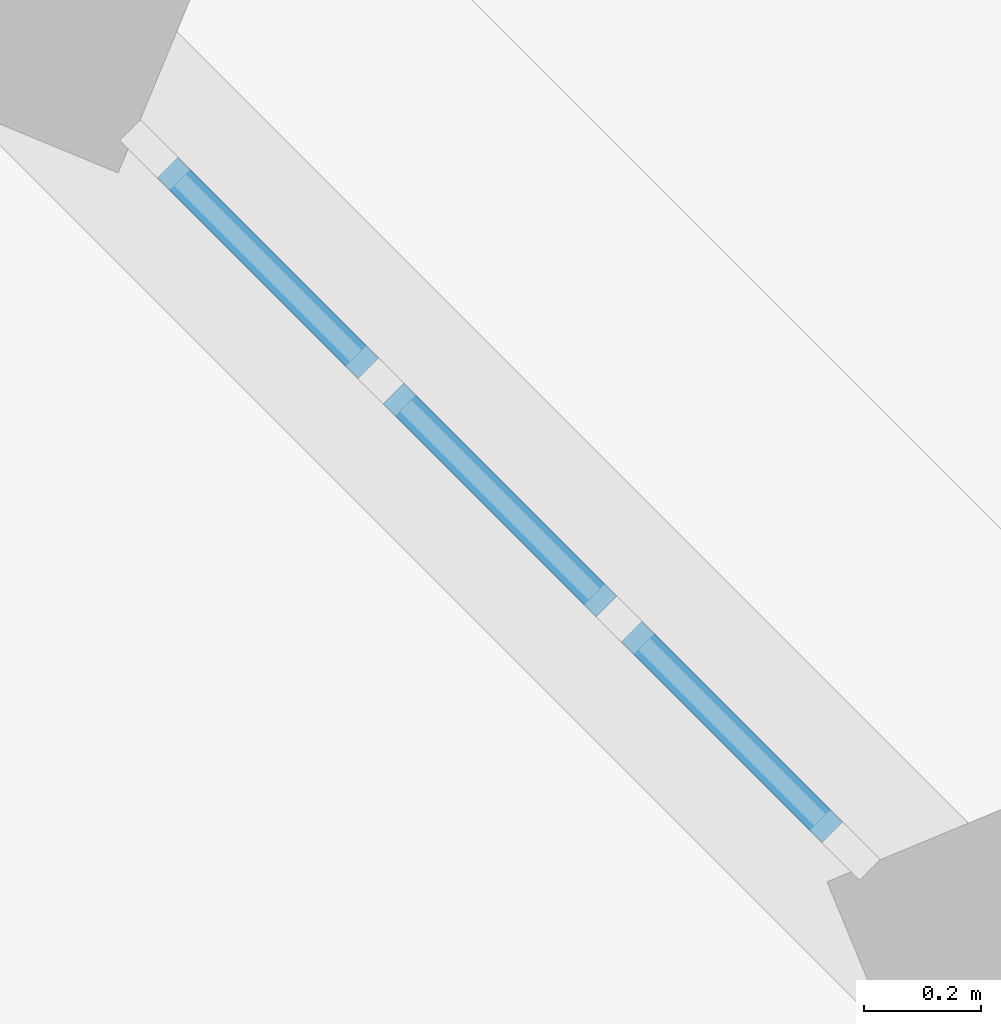
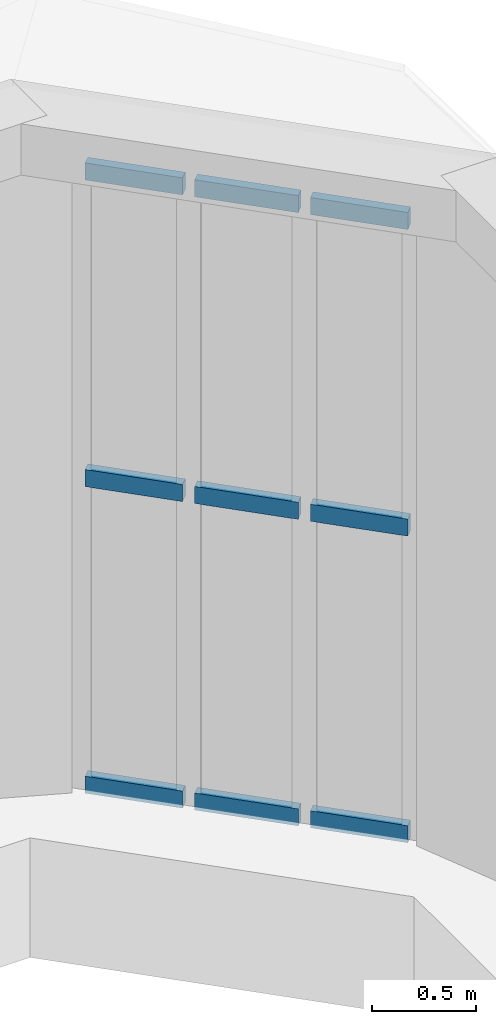
# One storey, part 24 of 52: 9 members, 1 element without a shape of its own.
"""IFC4 building model written with IfcOpenShell, lengths in metres."""

from ifc_helpers import new_model, si_unit, direction, frame, origin, origin_2d, place, context, subcontext, project, spatial, rectangle, extrude, material, material_profile, profile_set, type_object, element, aggregate, save


model = new_model("IFC4")

# Units and contexts
model_context = context("Model", 3, precision=1e-05, world=origin(), true_north=direction((0.0, 1.0)))
body_context = subcontext(model_context, "Body", "Model", "MODEL_VIEW")
ifc_project = project(units=[si_unit("LENGTHUNIT", "METRE"), si_unit("AREAUNIT", "SQUARE_METRE"), si_unit("VOLUMEUNIT", "CUBIC_METRE"), si_unit("PLANEANGLEUNIT", "RADIAN"), si_unit("MASSUNIT", "GRAM", prefix="KILO")], contexts=[model_context])

# Site, building, storey
site_placement = place(None, origin())
site = spatial("IfcSite", under=ifc_project, at=site_placement, CompositionType="ELEMENT")
building_placement = place(site_placement, origin())
building = spatial("IfcBuilding", under=site, at=building_placement, Name="Vermilion Court Aquatics Centre", CompositionType="ELEMENT")
storey_placement = place(building_placement, frame((0.0, 0.0, 12.0)))
storey = spatial("IfcBuildingStorey", under=building, at=storey_placement, Name="L02", CompositionType="ELEMENT", Elevation=12.0)

# Curtain wall, members
ifc_material_1 = material(Name="Aluminium 6063-T5", Category="aluminium")
curtain_wall_type = type_object("IfcCurtainWallType", Name="Rotunda lantern curtain wall", PredefinedType="NOTDEFINED", material=ifc_material_1)
curtain_wall_placement = place(storey_placement, origin())
curtain_wall = element("IfcCurtainWall", 1, at=curtain_wall_placement, inside=storey, type_object=curtain_wall_type, Name="Rotunda lantern curtain wall", PredefinedType="NOTDEFINED")
ifc_material_2 = material(Name="Aluminium 6063-T5", Category="aluminium")
ifc_material_profile = material_profile(ifc_material_2, rectangle(XDim=0.050048828125, YDim=0.10009765625, at=origin_2d()), Name="Aluminium 50x100")
ifc_profile_set = profile_set([ifc_material_profile], Name="Aluminium 6063-T5")
member_type = type_object("IfcMemberType", Name="Rotunda lantern transom 50x100", PredefinedType="USERDEFINED", material=ifc_profile_set)
member_1_placement = place(storey_placement, frame((9.4833984375, 73.400146484375, 0.47998046875), z_axis=(-0.707106781187, 0.707106781187, 0.0), x_axis=(-0.707106781187, -0.707106781187, 0.0)))
member_1 = element("IfcMember", 2, at=member_1_placement, type_object=member_type, Name="HRT13 transom 1.1", ObjectType="TRANSOM", PredefinedType="USERDEFINED", context=body_context, shape_type="SweptSolid", body=[
    extrude(rectangle(XDim=0.050048828125, YDim=0.10009765625, at=origin_2d()), origin(), (0.0, 0.0, 1.0), 0.484130859375),
])
member_2_placement = place(storey_placement, frame((9.4833984375, 73.400146484375, 2.27490234375), z_axis=(-0.707106781187, 0.707106781187, 0.0), x_axis=(-0.707106781187, -0.707106781187, 0.0)))
member_2 = element("IfcMember", 3, at=member_2_placement, type_object=member_type, Name="HRT13 transom 1.2", ObjectType="TRANSOM", PredefinedType="USERDEFINED", context=body_context, shape_type="SweptSolid", body=[
    extrude(rectangle(XDim=0.050048828125, YDim=0.10009765625, at=origin_2d()), origin(), (0.0, 0.0, 1.0), 0.484130859375),
])
member_3_placement = place(storey_placement, frame((9.4833984375, 73.400146484375, 4.070068359375), z_axis=(-0.707106781187, 0.707106781187, 0.0), x_axis=(-0.707106781187, -0.707106781187, 0.0)))
member_3 = element("IfcMember", 4, at=member_3_placement, type_object=member_type, Name="HRT13 transom 1.3", ObjectType="TRANSOM", PredefinedType="USERDEFINED", context=body_context, shape_type="SweptSolid", body=[
    extrude(rectangle(XDim=0.050048828125, YDim=0.10009765625, at=origin_2d()), origin(), (0.0, 0.0, 1.0), 0.484130859375),
])
member_4_placement = place(storey_placement, frame((9.0986328125, 73.784912109375, 0.47998046875), z_axis=(-0.707106781187, 0.707106781187, 0.0), x_axis=(-0.707106781187, -0.707106781187, 0.0)))
member_4 = element("IfcMember", 5, at=member_4_placement, type_object=member_type, Name="HRT13 transom 2.1", ObjectType="TRANSOM", PredefinedType="USERDEFINED", context=body_context, shape_type="SweptSolid", body=[
    extrude(rectangle(XDim=0.050048828125, YDim=0.10009765625, at=origin_2d()), origin(), (0.0, 0.0, 1.0), 0.514404296875),
])
member_5_placement = place(storey_placement, frame((9.0986328125, 73.784912109375, 2.27490234375), z_axis=(-0.707106781187, 0.707106781187, 0.0), x_axis=(-0.707106781187, -0.707106781187, 0.0)))
member_5 = element("IfcMember", 6, at=member_5_placement, type_object=member_type, Name="HRT13 transom 2.2", ObjectType="TRANSOM", PredefinedType="USERDEFINED", context=body_context, shape_type="SweptSolid", body=[
    extrude(rectangle(XDim=0.050048828125, YDim=0.10009765625, at=origin_2d()), origin(), (0.0, 0.0, 1.0), 0.514404296875),
])
member_6_placement = place(storey_placement, frame((9.0986328125, 73.784912109375, 4.070068359375), z_axis=(-0.707106781187, 0.707106781187, 0.0), x_axis=(-0.707106781187, -0.707106781187, 0.0)))
member_6 = element("IfcMember", 7, at=member_6_placement, type_object=member_type, Name="HRT13 transom 2.3", ObjectType="TRANSOM", PredefinedType="USERDEFINED", context=body_context, shape_type="SweptSolid", body=[
    extrude(rectangle(XDim=0.050048828125, YDim=0.10009765625, at=origin_2d()), origin(), (0.0, 0.0, 1.0), 0.514404296875),
])
member_7_placement = place(storey_placement, frame((8.6923828125, 74.19091796875, 0.47998046875), z_axis=(-0.706854648288, 0.707358824214, 0.0), x_axis=(-0.707358824214, -0.706854648288, 0.0)))
member_7 = element("IfcMember", 8, at=member_7_placement, type_object=member_type, Name="HRT13 transom 3.1", ObjectType="TRANSOM", PredefinedType="USERDEFINED", context=body_context, shape_type="SweptSolid", body=[
    extrude(rectangle(XDim=0.050048828125, YDim=0.10009765625, at=origin_2d()), origin(), (0.0, 0.0, 1.0), 0.484130859375),
])
member_8_placement = place(storey_placement, frame((8.6923828125, 74.19091796875, 2.27490234375), z_axis=(-0.706854648288, 0.707358824214, 0.0), x_axis=(-0.707358824214, -0.706854648288, 0.0)))
member_8 = element("IfcMember", 9, at=member_8_placement, type_object=member_type, Name="HRT13 transom 3.2", ObjectType="TRANSOM", PredefinedType="USERDEFINED", context=body_context, shape_type="SweptSolid", body=[
    extrude(rectangle(XDim=0.050048828125, YDim=0.10009765625, at=origin_2d()), origin(), (0.0, 0.0, 1.0), 0.484130859375),
])
member_9_placement = place(storey_placement, frame((8.6923828125, 74.19091796875, 4.070068359375), z_axis=(-0.706854648288, 0.707358824214, 0.0), x_axis=(-0.707358824214, -0.706854648288, 0.0)))
member_9 = element("IfcMember", 10, at=member_9_placement, type_object=member_type, Name="HRT13 transom 3.3", ObjectType="TRANSOM", PredefinedType="USERDEFINED", context=body_context, shape_type="SweptSolid", body=[
    extrude(rectangle(XDim=0.050048828125, YDim=0.10009765625, at=origin_2d()), origin(), (0.0, 0.0, 1.0), 0.484130859375),
])
aggregate(curtain_wall, [member_1, member_2, member_3, member_4, member_5, member_6, member_7, member_8, member_9])

save(model, "model.ifc")
